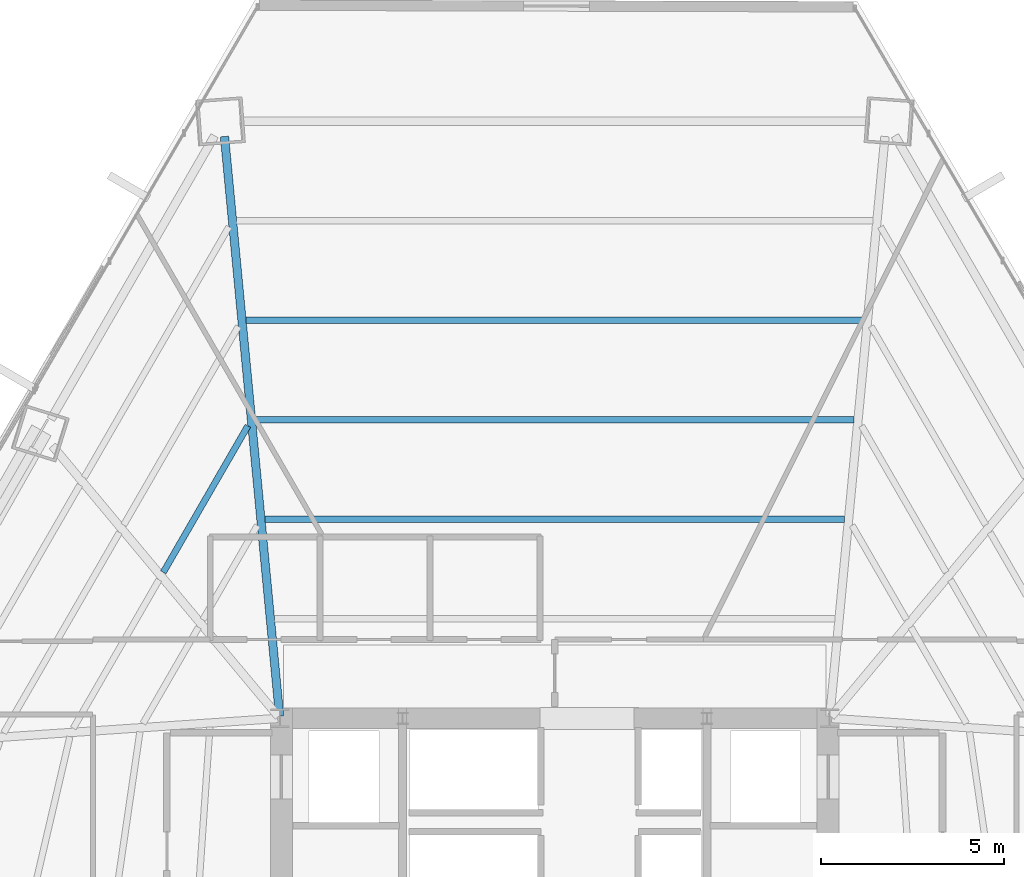
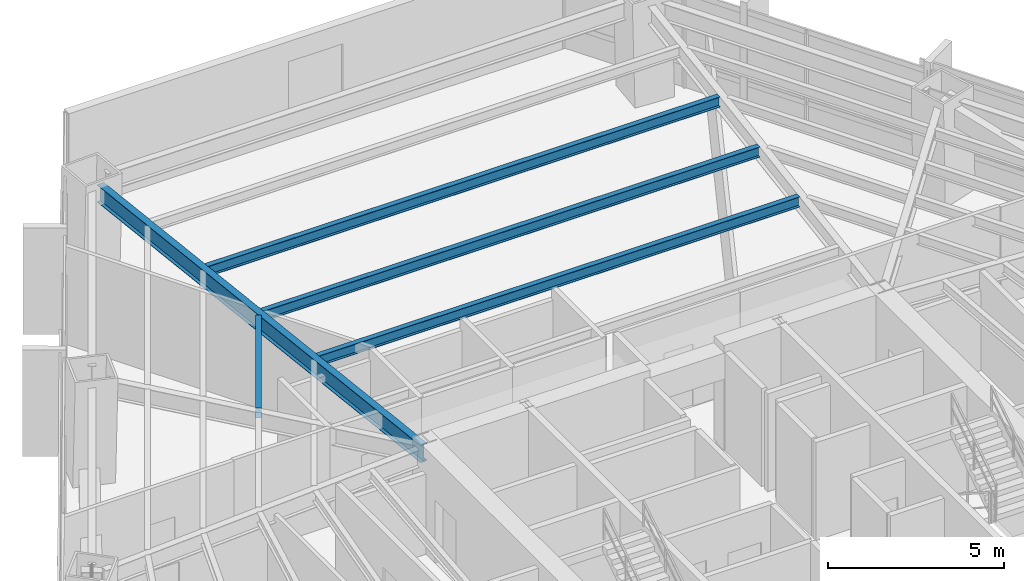
# One storey, part 23 of 33: 5 beams.
"""IFC4 building model written with IfcOpenShell, lengths in metres."""

from ifc_helpers import new_model, si_unit, direction, frame, origin, origin_2d, place, context, subcontext, project, spatial, i_section, extrude, source, transform, mapped, material, material_profile, profile_set, type_object, type_shapes, element, save


model = new_model("IFC4")

# Units and contexts
model_context = context("Model", 3, precision=1e-05, world=origin(), true_north=direction((0.0, 1.0)))
body_context = subcontext(model_context, "Body", "Model", "MODEL_VIEW")
ifc_project = project(units=[si_unit("LENGTHUNIT", "METRE"), si_unit("AREAUNIT", "SQUARE_METRE"), si_unit("VOLUMEUNIT", "CUBIC_METRE"), si_unit("PLANEANGLEUNIT", "RADIAN"), si_unit("MASSUNIT", "GRAM", prefix="KILO")], contexts=[model_context])

# Site, building, storey
site_placement = place(None, origin())
site = spatial("IfcSite", under=ifc_project, at=site_placement, CompositionType="ELEMENT")
building_placement = place(site_placement, origin())
building = spatial("IfcBuilding", under=site, at=building_placement, Name="Caelisora Broadcast Tower", CompositionType="ELEMENT")
storey_placement = place(building_placement, frame((0.0, 0.0, 34.89990234375)))
storey = spatial("IfcBuildingStorey", under=building, at=storey_placement, Name="L08", CompositionType="ELEMENT", Elevation=34.89990234375)

# Beams
ifc_material = material(Name="Steel Grade 350 (AS/NZS 3679.1)", Category="steel")
ifc_material_profile_1 = material_profile(ifc_material, i_section(OverallWidth=0.22802734375, OverallDepth=0.602294921875, WebThickness=0.010498046875, FlangeThickness=0.014892578125, at=origin_2d()), Name="Steel Grade 350 (AS/NZS 3679.1)")
ifc_profile_set_1 = profile_set([ifc_material_profile_1], Name="Steel Grade 350 (AS/NZS 3679.1)")
beam_type_1 = type_object("IfcBeamType", Name="PG04", PredefinedType="BEAM", material=ifc_profile_set_1)
shared_shape_1 = source(origin(), body_context, "Body", "SweptSolid", [
    extrude(i_section(OverallWidth=0.22802734375, OverallDepth=0.602294921875, WebThickness=0.010498046875, FlangeThickness=0.014892578125, at=origin_2d()), origin(), (0.0, 0.0, 1.0), 15.884765625),
])
type_shapes(beam_type_1, [shared_shape_1])
beam_1_placement = place(storey_placement, frame((30.494384765625, 30.059814453125, 3.098876953125), z_axis=(-0.094706100027, 0.995505276037, 0.0), x_axis=(-0.995505276037, -0.094706100027, 0.0)))
element("IfcBeam", 1, at=beam_1_placement, inside=storey, type_object=beam_type_1, Name="L08 beam PG04", PredefinedType="BEAM", context=body_context, shape_type="MappedRepresentation", body=[
    mapped(shared_shape_1, transform((0.0, 0.0, 0.0), scale=1.0)),
])
ifc_material_profile_2 = material_profile(ifc_material, i_section(OverallWidth=0.172119140625, OverallDepth=0.358642578125, WebThickness=0.008056640625, FlangeThickness=0.012939453125, at=origin_2d()), Name="Steel Grade 350 (AS/NZS 3679.1)")
ifc_profile_set_2 = profile_set([ifc_material_profile_2], Name="Steel Grade 350 (AS/NZS 3679.1)")
beam_type_2 = type_object("IfcBeamType", Name="SB02", PredefinedType="JOIST", material=ifc_profile_set_2)
shared_shape_2 = source(origin(), body_context, "Body", "SweptSolid", [
    extrude(i_section(OverallWidth=0.172119140625, OverallDepth=0.358642578125, WebThickness=0.008056640625, FlangeThickness=0.012939453125, at=origin_2d()), origin(), (0.0, 0.0, 1.0), 15.81005859375),
])
beam_2_placement = place(storey_placement, frame((45.905029296875, 35.430419921875, 3.220703125), z_axis=(-1.0, 0.0, 0.0), x_axis=(0.0, -1.0, 0.0)))
element("IfcBeam", 2, at=beam_2_placement, inside=storey, type_object=beam_type_2, Name="L08 beam SB02", PredefinedType="JOIST", context=body_context, shape_type="MappedRepresentation", body=[
    mapped(shared_shape_2, transform((0.0, 0.0, 0.0), scale=1.0)),
])
shared_shape_3 = source(origin(), body_context, "Body", "SweptSolid", [
    extrude(i_section(OverallWidth=0.172119140625, OverallDepth=0.358642578125, WebThickness=0.008056640625, FlangeThickness=0.012939453125, at=origin_2d()), origin(), (0.0, 0.0, 1.0), 16.3271484375),
])
beam_3_placement = place(storey_placement, frame((46.16357421875, 38.145751953125, 3.220703125), z_axis=(-1.0, 0.0, 0.0), x_axis=(0.0, -1.0, 0.0)))
element("IfcBeam", 3, at=beam_3_placement, inside=storey, type_object=beam_type_2, Name="L08 beam SB02", PredefinedType="JOIST", context=body_context, shape_type="MappedRepresentation", body=[
    mapped(shared_shape_3, transform((0.0, 0.0, 0.0), scale=1.0)),
])
shared_shape_4 = source(origin(), body_context, "Body", "SweptSolid", [
    extrude(i_section(OverallWidth=0.172119140625, OverallDepth=0.358642578125, WebThickness=0.008056640625, FlangeThickness=0.012939453125, at=origin_2d()), origin(), (0.0, 0.0, 1.0), 16.84375),
])
beam_4_placement = place(storey_placement, frame((46.421875, 40.86083984375, 3.220703125), z_axis=(-1.0, 0.0, 0.0), x_axis=(0.0, -1.0, 0.0)))
element("IfcBeam", 4, at=beam_4_placement, inside=storey, type_object=beam_type_2, Name="L08 beam SB02", PredefinedType="JOIST", context=body_context, shape_type="MappedRepresentation", body=[
    mapped(shared_shape_4, transform((0.0, 0.0, 0.0), scale=1.0)),
])
shared_shape_5 = source(origin(), body_context, "Body", "SweptSolid", [
    extrude(i_section(OverallWidth=0.172119140625, OverallDepth=0.358642578125, WebThickness=0.008056640625, FlangeThickness=0.012939453125, at=origin_2d()), origin(), (0.0, 0.0, 1.0), 4.61474609375),
])
type_shapes(beam_type_2, [shared_shape_2, shared_shape_3, shared_shape_4, shared_shape_5])
beam_5_placement = place(storey_placement, frame((29.62841796875, 37.97802734375, 3.220703125), z_axis=(-0.500053701522, -0.865994396976, 0.0), x_axis=(0.865994396976, -0.500053701522, 0.0)))
element("IfcBeam", 5, at=beam_5_placement, inside=storey, type_object=beam_type_2, Name="L08 beam SB02", PredefinedType="JOIST", context=body_context, shape_type="MappedRepresentation", body=[
    mapped(shared_shape_5, transform((0.0, 0.0, 0.0), scale=1.0)),
])

save(model, "model.ifc")
